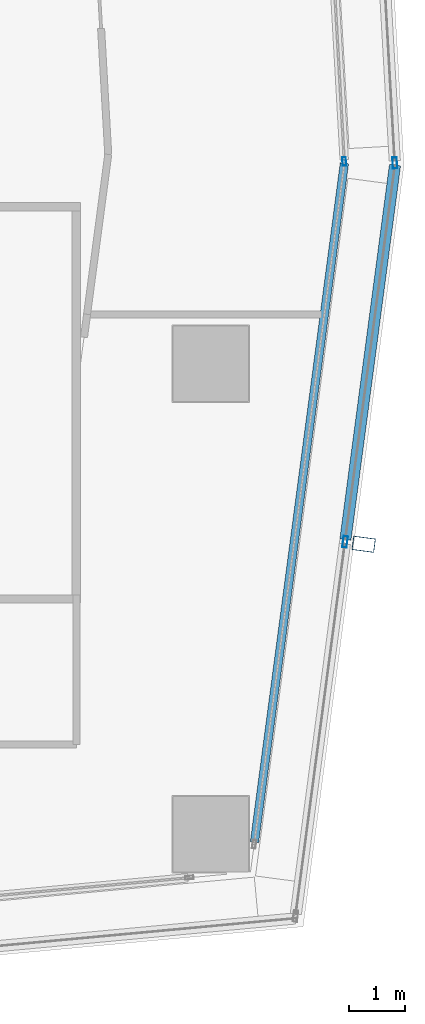
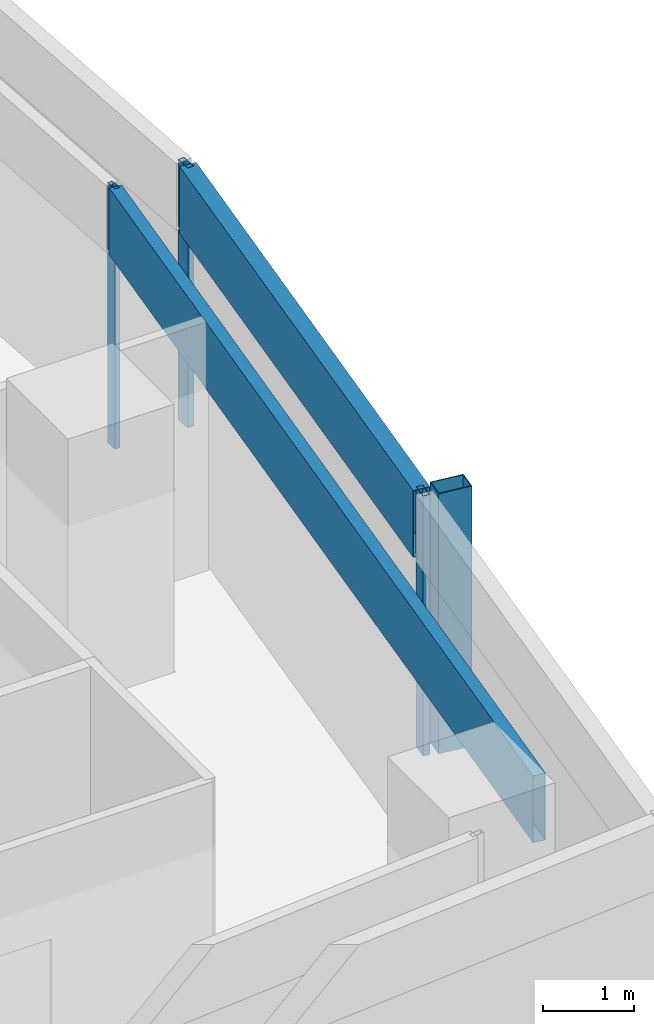
# One storey, part 13 of 38: 6 members, 4 elements without a shape of their own.
"""IFC4 building model written with IfcOpenShell, lengths in metres."""

from ifc_helpers import new_model, si_unit, direction, frame, origin, origin_2d, place, context, subcontext, project, spatial, hollow_rectangle, extrude, material, material_profile, profile_set, type_object, element, aggregate, save


model = new_model("IFC4")

# Units and contexts
model_context = context("Model", 3, precision=1e-05, world=origin(), true_north=direction((0.0, 1.0)))
body_context = subcontext(model_context, "Body", "Model", "MODEL_VIEW")
ifc_project = project(units=[si_unit("LENGTHUNIT", "METRE"), si_unit("AREAUNIT", "SQUARE_METRE"), si_unit("VOLUMEUNIT", "CUBIC_METRE"), si_unit("PLANEANGLEUNIT", "RADIAN"), si_unit("MASSUNIT", "GRAM", prefix="KILO")], contexts=[model_context])

# Site, building, storey
site_placement = place(None, origin())
site = spatial("IfcSite", under=ifc_project, at=site_placement, CompositionType="ELEMENT")
building_placement = place(site_placement, origin())
building = spatial("IfcBuilding", under=site, at=building_placement, Name="Rekha Terrace Tower", CompositionType="ELEMENT")
storey_placement = place(building_placement, frame((0.0, 0.0, 202.699951171875)))
storey = spatial("IfcBuildingStorey", under=building, at=storey_placement, Name="L51", CompositionType="ELEMENT", Elevation=202.699951171875)

# Curtain wall, member
ifc_material_1 = material(Name="Aluminium framing", Category="aluminium")
curtain_wall_type_1 = type_object("IfcCurtainWallType", Name="CW2 double skin outer glazing", PredefinedType="USERDEFINED", material=ifc_material_1)
curtain_wall_1_placement = place(storey_placement, origin())
curtain_wall_1 = element("IfcCurtainWall", 1, at=curtain_wall_1_placement, inside=storey, type_object=curtain_wall_type_1, Name="CW2 double skin outer glazing", ObjectType="DOUBLE SKIN OUTER GLAZING", PredefinedType="USERDEFINED")
ifc_material_2 = material(Name="Steel S355 with fluorocarbon finish", Category="steel")
ifc_material_profile_1 = material_profile(ifc_material_2, hollow_rectangle(XDim=0.25, YDim=0.39990234375, WallThickness=0.012451171875, at=origin_2d()), Name="RHS400x250x12.5")
ifc_profile_set_1 = profile_set([ifc_material_profile_1], Name="Steel S355 with fluorocarbon finish")
member_type_1 = type_object("IfcMemberType", Name="BL1 facade blade RHS 400 x 250", PredefinedType="USERDEFINED", material=ifc_profile_set_1)
member_1_placement = place(storey_placement, frame((61.531005859375, 21.977783203125, 0.0), z_axis=(0.0, 0.0, 1.0), x_axis=(0.131303100637, 0.991342269735, 0.0)))
member_1 = element("IfcMember", 2, at=member_1_placement, type_object=member_type_1, Name="Facade blade", ObjectType="FACADE BLADE", PredefinedType="USERDEFINED", context=body_context, shape_type="SweptSolid", body=[
    extrude(hollow_rectangle(XDim=0.25, YDim=0.39990234375, WallThickness=0.012451171875, at=origin_2d()), origin(), (0.0, 0.0, 1.0), 3.5),
])

curtain_wall_type_2 = type_object("IfcCurtainWallType", Name="CW1 double skin inner glazing", PredefinedType="USERDEFINED", material=ifc_material_1)
curtain_wall_2_placement = place(storey_placement, origin())
curtain_wall_2 = element("IfcCurtainWall", 3, at=curtain_wall_2_placement, inside=storey, type_object=curtain_wall_type_2, Name="CW1 double skin inner glazing", ObjectType="DOUBLE SKIN INNER GLAZING", PredefinedType="USERDEFINED")
ifc_material_3 = material(Name="Aluminium mullion section", Category="aluminium")
ifc_material_profile_2 = material_profile(ifc_material_3, hollow_rectangle(XDim=0.06494140625, YDim=0.14990234375, WallThickness=0.00390625, at=origin_2d()), Name="AL RHS 65x150")
ifc_profile_set_2 = profile_set([ifc_material_profile_2], Name="Aluminium mullion section")
member_type_2 = type_object("IfcMemberType", Name="CW1 mullion RHS 65 x 150", PredefinedType="MULLION", material=ifc_profile_set_2)
member_2_placement = place(storey_placement, frame((61.18408203125, 28.812255859375, 0.0), z_axis=(0.0, 0.0, 1.0), x_axis=(-0.998392782919, -0.05667319486, 0.0)))
member_2 = element("IfcMember", 4, at=member_2_placement, type_object=member_type_2, Name="CW1 mullion 1", PredefinedType="MULLION", context=body_context, shape_type="SweptSolid", body=[
    extrude(hollow_rectangle(XDim=0.06494140625, YDim=0.14990234375, WallThickness=0.00390625, at=origin_2d()), origin(), (0.0, 0.0, 1.0), 3.5),
])
aggregate(curtain_wall_2, [member_2])

curtain_wall_3_placement = place(storey_placement, origin())
curtain_wall_3 = element("IfcCurtainWall", 5, at=curtain_wall_3_placement, inside=storey, type_object=curtain_wall_type_2, Name="CW1 double skin inner glazing", ObjectType="DOUBLE SKIN INNER GLAZING", PredefinedType="USERDEFINED")
ifc_material_4 = material(Name="Insulated aluminium spandrel box", Category="aluminium")
ifc_material_profile_3 = material_profile(ifc_material_4, hollow_rectangle(XDim=0.14990234375, YDim=0.89990234375, WallThickness=0.0029296875, at=origin_2d()), Name="AL SPANDREL BOX 150x900")
ifc_profile_set_3 = profile_set([ifc_material_profile_3], Name="Insulated aluminium spandrel box")
member_type_3 = type_object("IfcMemberType", Name="CW1 spandrel transom 150 x 900", PredefinedType="USERDEFINED", material=ifc_profile_set_3)
member_3_placement = place(storey_placement, frame((59.580322265625, 16.656982421875, 3.050048828125), z_axis=(0.131307111352, 0.991341738508, 0.0), x_axis=(-0.991341738508, 0.131307111352, 0.0)))
member_3 = element("IfcMember", 6, at=member_3_placement, type_object=member_type_3, Name="CW1 spandrel transom 1", ObjectType="TRANSOM", PredefinedType="USERDEFINED", context=body_context, shape_type="SweptSolid", body=[
    extrude(hollow_rectangle(XDim=0.14990234375, YDim=0.89990234375, WallThickness=0.0029296875, at=origin_2d()), origin(), (0.0, 0.0, 1.0), 12.228759765625),
])
aggregate(curtain_wall_3, [member_3])

# Member
ifc_material_profile_4 = material_profile(ifc_material_3, hollow_rectangle(XDim=0.080078125, YDim=0.199951171875, WallThickness=0.00390625, at=origin_2d()), Name="AL RHS 80x200")
ifc_profile_set_4 = profile_set([ifc_material_profile_4], Name="Aluminium mullion section")
member_type_4 = type_object("IfcMemberType", Name="CW2 mullion RHS 80 x 200", PredefinedType="MULLION", material=ifc_profile_set_4)
member_4_placement = place(storey_placement, frame((61.19873046875, 22.021728515625, 0.0), z_axis=(0.0, 0.0, 1.0), x_axis=(-0.991342203187, 0.131303603075, 0.0)))
member_4 = element("IfcMember", 7, at=member_4_placement, type_object=member_type_4, Name="CW2 mullion 2", PredefinedType="MULLION", context=body_context, shape_type="SweptSolid", body=[
    extrude(hollow_rectangle(XDim=0.080078125, YDim=0.199951171875, WallThickness=0.00390625, at=origin_2d()), origin(), (0.0, 0.0, 1.0), 3.5),
])

# Curtain wall, member
curtain_wall_4_placement = place(storey_placement, origin())
curtain_wall_4 = element("IfcCurtainWall", 8, at=curtain_wall_4_placement, inside=storey, type_object=curtain_wall_type_1, Name="CW2 double skin outer glazing", ObjectType="DOUBLE SKIN OUTER GLAZING", PredefinedType="USERDEFINED")
member_5_placement = place(storey_placement, frame((62.087158203125, 28.785888671875, 0.0), z_axis=(0.0, 0.0, 1.0), x_axis=(-0.998392782919, -0.05667319486, 0.0)))
member_5 = element("IfcMember", 9, at=member_5_placement, type_object=member_type_4, Name="CW2 mullion 1", PredefinedType="MULLION", context=body_context, shape_type="SweptSolid", body=[
    extrude(hollow_rectangle(XDim=0.080078125, YDim=0.199951171875, WallThickness=0.00390625, at=origin_2d()), origin(), (0.0, 0.0, 1.0), 3.5),
])
aggregate(curtain_wall_4, [member_5])

# Member
ifc_material_profile_5 = material_profile(ifc_material_4, hollow_rectangle(XDim=0.199951171875, YDim=0.89990234375, WallThickness=0.0029296875, at=origin_2d()), Name="AL SPANDREL BOX 200x900")
ifc_profile_set_5 = profile_set([ifc_material_profile_5], Name="Insulated aluminium spandrel box")
member_type_5 = type_object("IfcMemberType", Name="CW2 spandrel transom 200 x 900", PredefinedType="USERDEFINED", material=ifc_profile_set_5)
member_6_placement = place(storey_placement, frame((61.2041015625, 22.0615234375, 3.050048828125), z_axis=(0.131286165193, 0.991344512684, 0.0), x_axis=(-0.991344512684, 0.131286165193, 0.0)))
member_6 = element("IfcMember", 10, at=member_6_placement, type_object=member_type_5, Name="CW2 spandrel transom 2", ObjectType="TRANSOM", PredefinedType="USERDEFINED", context=body_context, shape_type="SweptSolid", body=[
    extrude(hollow_rectangle(XDim=0.199951171875, YDim=0.89990234375, WallThickness=0.0029296875, at=origin_2d()), origin(), (0.0, 0.0, 1.0), 6.742919921875),
])

aggregate(curtain_wall_1, [member_4, member_6, member_1])

save(model, "model.ifc")
